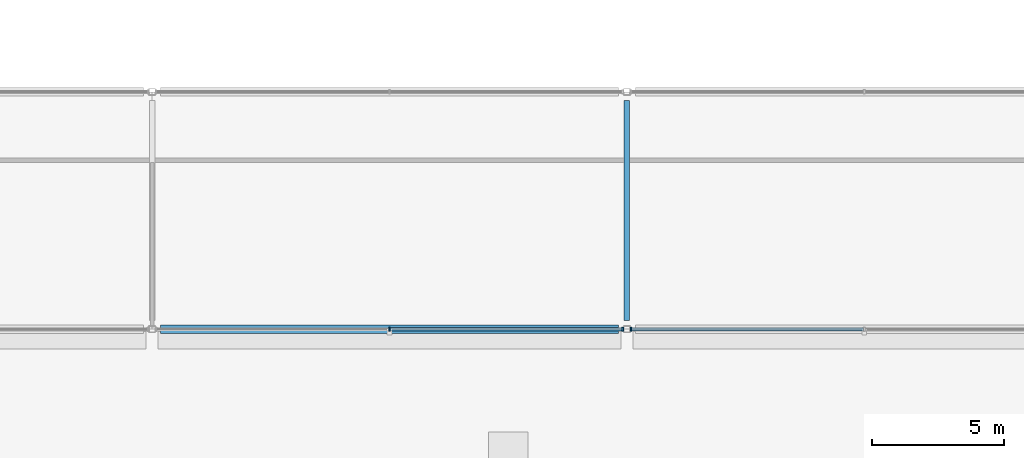
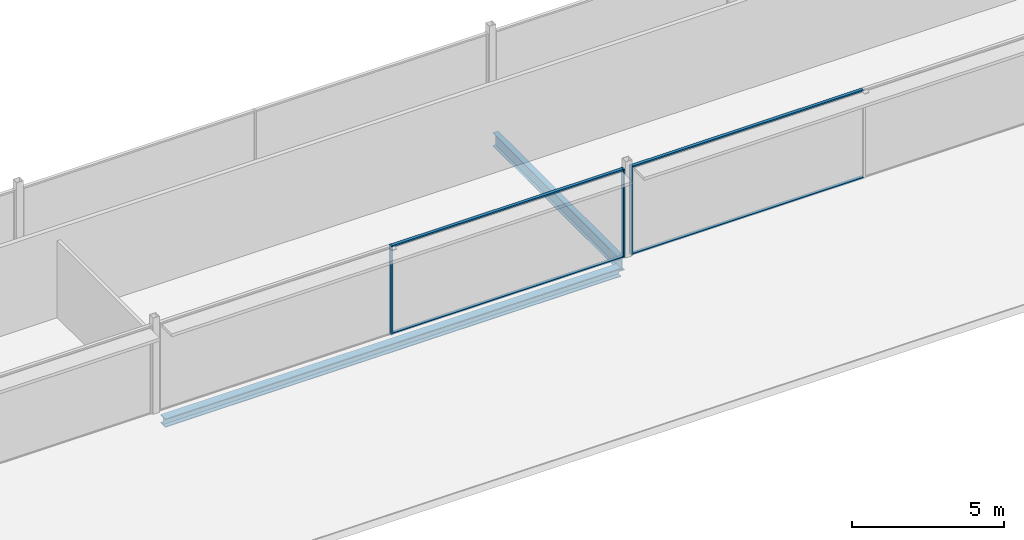
# One storey, part 36 of 105: 7 members, 2 beams, 2 elements without a shape of their own.
"""IFC4 building model written with IfcOpenShell, lengths in metres."""

from ifc_helpers import new_model, si_unit, direction, frame, origin, origin_2d, place, context, subcontext, project, spatial, rectangle, i_section, extrude, material, layer, layer_set, material_profile, profile_set, type_object, element, aggregate, save


model = new_model("IFC4")

# Units and contexts
model_context = context("Model", 3, precision=1e-05, world=origin(), true_north=direction((0.0, 1.0)))
body_context = subcontext(model_context, "Body", "Model", "MODEL_VIEW")
ifc_project = project(units=[si_unit("LENGTHUNIT", "METRE"), si_unit("AREAUNIT", "SQUARE_METRE"), si_unit("VOLUMEUNIT", "CUBIC_METRE"), si_unit("PLANEANGLEUNIT", "RADIAN"), si_unit("MASSUNIT", "GRAM", prefix="KILO")], contexts=[model_context])

# Site, building, storey
site_placement = place(None, origin())
site = spatial("IfcSite", under=ifc_project, at=site_placement, CompositionType="ELEMENT")
building_placement = place(site_placement, origin())
building = spatial("IfcBuilding", under=site, at=building_placement, Name="Kisiwana Market Hall", CompositionType="ELEMENT")
storey_placement = place(building_placement, frame((0.0, 0.0, 21.60009765625)))
storey = spatial("IfcBuildingStorey", under=building, at=storey_placement, Name="L04", CompositionType="ELEMENT", Elevation=21.60009765625)

# Beams
ifc_material_1 = material(Name="Steel S355", Category="steel")
ifc_material_profile_1 = material_profile(ifc_material_1, i_section(OverallWidth=0.209228515625, OverallDepth=0.533203125, WebThickness=0.010009765625, FlangeThickness=0.015625, at=origin_2d()), Name="UB 533x210x92")
ifc_profile_set_1 = profile_set([ifc_material_profile_1], Name="Steel S355")
beam_type_1 = type_object("IfcBeamType", Name="BM-GIRD-UB533", PredefinedType="BEAM", material=ifc_profile_set_1)
beam_1_placement = place(storey_placement, frame((117.0, 93.321044921875, -0.53173828125), z_axis=(0.0, 1.0, 0.0), x_axis=(-1.0, 0.0, 0.0)))
element("IfcBeam", 1, at=beam_1_placement, inside=storey, type_object=beam_type_1, Name="Primary girder B-1366", PredefinedType="BEAM", context=body_context, shape_type="SweptSolid", body=[
    extrude(i_section(OverallWidth=0.209228515625, OverallDepth=0.533203125, WebThickness=0.010009765625, FlangeThickness=0.015625, at=origin_2d()), origin(), (0.0, 0.0, 1.0), 8.35791015625),
])
ifc_material_2 = material(Name="Steel S355", Category="steel")
ifc_material_profile_2 = material_profile(ifc_material_2, i_section(OverallWidth=0.314453125, OverallDepth=0.33984375, WebThickness=0.01904296875, FlangeThickness=0.031494140625, at=origin_2d()), Name="UC 305x305x198")
ifc_profile_set_2 = profile_set([ifc_material_profile_2], Name="Steel S355")
beam_type_2 = type_object("IfcBeamType", Name="BM-SKYBR-CHORD", PredefinedType="BEAM", material=ifc_profile_set_2)
beam_2_placement = place(storey_placement, frame((99.321044921875, 93.0, -0.462158203125), z_axis=(1.0, 0.0, 0.0), x_axis=(0.0, 1.0, 0.0)))
element("IfcBeam", 2, at=beam_2_placement, inside=storey, type_object=beam_type_2, Name="Floor beam B-1464", PredefinedType="BEAM", context=body_context, shape_type="SweptSolid", body=[
    extrude(i_section(OverallWidth=0.314453125, OverallDepth=0.33984375, WebThickness=0.01904296875, FlangeThickness=0.031494140625, at=origin_2d()), origin(), (0.0, 0.0, 1.0), 17.35791015625),
])

# Curtain wall, members
ifc_material_3 = material(Name="Double-glazed solar-control low-E IGU", Category="glass")
ifc_layer = layer(ifc_material_3, 0.159912109375)
ifc_layer_set = layer_set([ifc_layer], Name="CW-ZNA-EW-8200")
curtain_wall_type = type_object("IfcCurtainWallType", Name="CW-ZNA-EW-8200", PredefinedType="USERDEFINED", material=ifc_layer_set)
curtain_wall_1_placement = place(storey_placement, origin())
curtain_wall_1 = element("IfcCurtainWall", 3, at=curtain_wall_1_placement, inside=storey, type_object=curtain_wall_type, Name="Unitised curtain wall CW-107 (L04)", ObjectType="UNITISED CURTAIN WALL", PredefinedType="USERDEFINED")
ifc_material_4 = material(Name="Aluminium alloy 6063-T6", Category="aluminium")
ifc_material_profile_3 = material_profile(ifc_material_4, rectangle(XDim=0.06005859375, YDim=0.159912109375, at=origin_2d()), Name="ALU MULLION 60x160")
ifc_profile_set_3 = profile_set([ifc_material_profile_3], Name="Aluminium alloy 6063-T6")
member_type_1 = type_object("IfcMemberType", Name="CW-MULL-60x160", PredefinedType="MULLION", material=ifc_profile_set_3)
member_1_placement = place(storey_placement, frame((108.0, 93.0, 0.0), z_axis=(0.0, 0.0, 1.0), x_axis=(1.0, 0.0, 0.0)))
member_1 = element("IfcMember", 4, at=member_1_placement, type_object=member_type_1, Name="CW-107 mullion 2", PredefinedType="MULLION", context=body_context, shape_type="SweptSolid", body=[
    extrude(rectangle(XDim=0.06005859375, YDim=0.159912109375, at=origin_2d()), origin(), (0.0, 0.0, 1.0), 3.5849609375),
])
member_2_placement = place(storey_placement, frame((116.844970703125, 93.0, 0.0), z_axis=(0.0, 0.0, 1.0), x_axis=(1.0, 0.0, 0.0)))
member_2 = element("IfcMember", 5, at=member_2_placement, type_object=member_type_1, Name="CW-107 mullion 3", PredefinedType="MULLION", context=body_context, shape_type="SweptSolid", body=[
    extrude(rectangle(XDim=0.06005859375, YDim=0.159912109375, at=origin_2d()), origin(), (0.0, 0.0, 1.0), 3.5849609375),
])

# Curtain wall, member
curtain_wall_2_placement = place(storey_placement, origin())
curtain_wall_2 = element("IfcCurtainWall", 6, at=curtain_wall_2_placement, inside=storey, type_object=curtain_wall_type, Name="Unitised curtain wall CW-108 (L04)", ObjectType="UNITISED CURTAIN WALL", PredefinedType="USERDEFINED")
member_3_placement = place(storey_placement, frame((117.155029296875, 93.0, 0.0), z_axis=(0.0, 0.0, 1.0), x_axis=(1.0, 0.0, 0.0)))
member_3 = element("IfcMember", 7, at=member_3_placement, type_object=member_type_1, Name="CW-108 mullion 1", PredefinedType="MULLION", context=body_context, shape_type="SweptSolid", body=[
    extrude(rectangle(XDim=0.06005859375, YDim=0.159912109375, at=origin_2d()), origin(), (0.0, 0.0, 1.0), 3.5849609375),
])

# Member
ifc_material_5 = material(Name="Aluminium alloy 6063-T6", Category="aluminium")
ifc_material_profile_4 = material_profile(ifc_material_5, rectangle(XDim=0.1201171875, YDim=0.06005859375, at=origin_2d()), Name="ALU TRANSOM 60x120")
ifc_profile_set_4 = profile_set([ifc_material_profile_4], Name="Aluminium alloy 6063-T6")
member_type_2 = type_object("IfcMemberType", Name="CW-TRAN-60x120", PredefinedType="USERDEFINED", material=ifc_profile_set_4)
member_4_placement = place(storey_placement, frame((108.030029296875, 93.0, 0.02978515625), z_axis=(1.0, 0.0, 0.0), x_axis=(0.0, 1.0, 0.0)))
member_4 = element("IfcMember", 8, at=member_4_placement, type_object=member_type_2, Name="CW-107 transom 2.1", ObjectType="TRANSOM", PredefinedType="USERDEFINED", context=body_context, shape_type="SweptSolid", body=[
    extrude(rectangle(XDim=0.1201171875, YDim=0.06005859375, at=origin_2d()), origin(), (0.0, 0.0, 1.0), 8.784912109375),
])

member_5_placement = place(storey_placement, frame((108.030029296875, 93.0, 3.554931640625), z_axis=(1.0, 0.0, 0.0), x_axis=(0.0, 1.0, 0.0)))
member_5 = element("IfcMember", 9, at=member_5_placement, type_object=member_type_2, Name="CW-107 transom 2.2", ObjectType="TRANSOM", PredefinedType="USERDEFINED", context=body_context, shape_type="SweptSolid", body=[
    extrude(rectangle(XDim=0.1201171875, YDim=0.06005859375, at=origin_2d()), origin(), (0.0, 0.0, 1.0), 8.784912109375),
])

aggregate(curtain_wall_1, [member_1, member_2, member_4, member_5])

member_6_placement = place(storey_placement, frame((117.18505859375, 93.0, 0.02978515625), z_axis=(1.0, 0.0, 0.0), x_axis=(0.0, 1.0, 0.0)))
member_6 = element("IfcMember", 10, at=member_6_placement, type_object=member_type_2, Name="CW-108 transom 1.1", ObjectType="TRANSOM", PredefinedType="USERDEFINED", context=body_context, shape_type="SweptSolid", body=[
    extrude(rectangle(XDim=0.1201171875, YDim=0.06005859375, at=origin_2d()), origin(), (0.0, 0.0, 1.0), 8.784912109375),
])

member_7_placement = place(storey_placement, frame((117.18505859375, 93.0, 3.554931640625), z_axis=(1.0, 0.0, 0.0), x_axis=(0.0, 1.0, 0.0)))
member_7 = element("IfcMember", 11, at=member_7_placement, type_object=member_type_2, Name="CW-108 transom 1.2", ObjectType="TRANSOM", PredefinedType="USERDEFINED", context=body_context, shape_type="SweptSolid", body=[
    extrude(rectangle(XDim=0.1201171875, YDim=0.06005859375, at=origin_2d()), origin(), (0.0, 0.0, 1.0), 8.784912109375),
])

aggregate(curtain_wall_2, [member_3, member_6, member_7])

save(model, "model.ifc")
